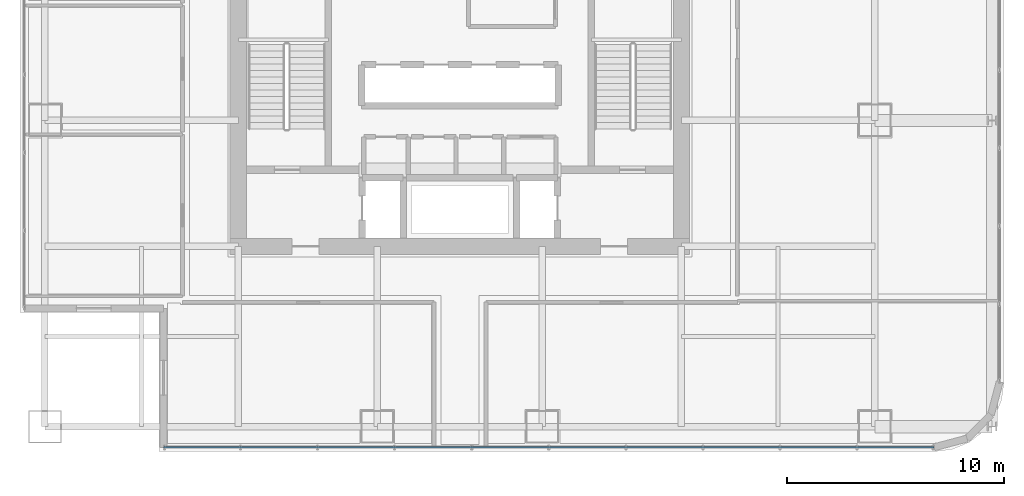
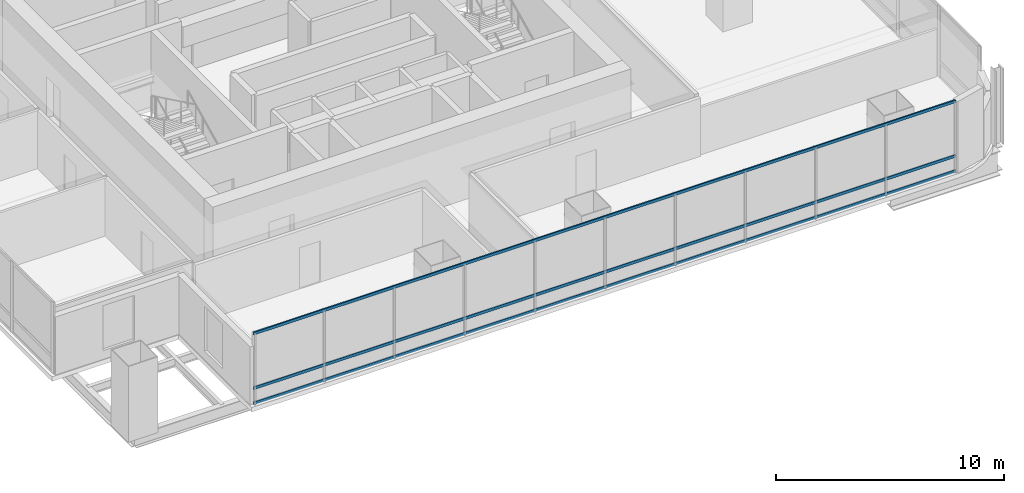
# One storey, part 6 of 34: 3 members, 1 element without a shape of its own.
"""IFC4 building model written with IfcOpenShell, lengths in metres."""

from ifc_helpers import new_model, si_unit, direction, frame, origin, origin_2d, place, context, subcontext, project, spatial, hollow_rectangle, extrude, material, material_profile, profile_set, type_object, element, aggregate, save


model = new_model("IFC4")

# Units and contexts
model_context = context("Model", 3, precision=1e-05, world=origin(), true_north=direction((0.0, 1.0)))
body_context = subcontext(model_context, "Body", "Model", "MODEL_VIEW")
ifc_project = project(units=[si_unit("LENGTHUNIT", "METRE"), si_unit("AREAUNIT", "SQUARE_METRE"), si_unit("VOLUMEUNIT", "CUBIC_METRE"), si_unit("PLANEANGLEUNIT", "RADIAN"), si_unit("MASSUNIT", "GRAM", prefix="KILO")], contexts=[model_context])

# Site, building, storey
site_placement = place(None, origin())
site = spatial("IfcSite", under=ifc_project, at=site_placement, CompositionType="ELEMENT")
building_placement = place(site_placement, origin())
building = spatial("IfcBuilding", under=site, at=building_placement, Name="Punatoya Terracotta Tower", CompositionType="ELEMENT")
storey_placement = place(building_placement, frame((0.0, 0.0, 117.300048828125)))
storey = spatial("IfcBuildingStorey", under=building, at=storey_placement, Name="L27", CompositionType="ELEMENT", Elevation=117.300048828125)

# Curtain wall, members
ifc_material_1 = material(Name="Aluminium 6063-T6 + Double Low-E Glass", Category="aluminium")
curtain_wall_type = type_object("IfcCurtainWallType", Name="CW-M1", PredefinedType="NOTDEFINED", material=ifc_material_1)
curtain_wall_placement = place(storey_placement, origin())
curtain_wall = element("IfcCurtainWall", 1, at=curtain_wall_placement, inside=storey, type_object=curtain_wall_type, Name="L27 Curtain Wall CW-L27-S01-1", PredefinedType="NOTDEFINED")
ifc_material_2 = material(Name="Aluminium 6063-T6", Category="aluminium")
ifc_material_profile = material_profile(ifc_material_2, hollow_rectangle(XDim=0.068115234375, YDim=0.14990234375, WallThickness=0.00390625, at=origin_2d()))
ifc_profile_set = profile_set([ifc_material_profile], Name="Aluminium 6063-T6")
member_type = type_object("IfcMemberType", Name="CW-TRN-TYP", PredefinedType="USERDEFINED", material=ifc_profile_set)
member_1_placement = place(storey_placement, frame((-13.64990234375, -18.449951171875, 0.0400390625), z_axis=(1.0, 0.0, 0.0), x_axis=(0.0, 1.0, 0.0)))
member_1 = element("IfcMember", 2, at=member_1_placement, type_object=member_type, Name="CW-L27-S01-1 Transom 1", ObjectType="TRANSOM", PredefinedType="USERDEFINED", context=body_context, shape_type="SweptSolid", body=[
    extrude(hollow_rectangle(XDim=0.068115234375, YDim=0.14990234375, WallThickness=0.00390625, at=origin_2d()), origin(), (0.0, 0.0, 1.0), 35.48681640625),
])
member_2_placement = place(storey_placement, frame((-13.64990234375, -18.449951171875, 0.849853515625), z_axis=(1.0, 0.0, 0.0), x_axis=(0.0, 1.0, 0.0)))
member_2 = element("IfcMember", 3, at=member_2_placement, type_object=member_type, Name="CW-L27-S01-1 Transom 2", ObjectType="TRANSOM", PredefinedType="USERDEFINED", context=body_context, shape_type="SweptSolid", body=[
    extrude(hollow_rectangle(XDim=0.068115234375, YDim=0.14990234375, WallThickness=0.00390625, at=origin_2d()), origin(), (0.0, 0.0, 1.0), 35.48681640625),
])
member_3_placement = place(storey_placement, frame((-13.64990234375, -18.449951171875, 3.77001953125), z_axis=(1.0, 0.0, 0.0), x_axis=(0.0, 1.0, 0.0)))
member_3 = element("IfcMember", 4, at=member_3_placement, type_object=member_type, Name="CW-L27-S01-1 Transom 3", ObjectType="TRANSOM", PredefinedType="USERDEFINED", context=body_context, shape_type="SweptSolid", body=[
    extrude(hollow_rectangle(XDim=0.068115234375, YDim=0.14990234375, WallThickness=0.00390625, at=origin_2d()), origin(), (0.0, 0.0, 1.0), 35.48681640625),
])
aggregate(curtain_wall, [member_1, member_2, member_3])

save(model, "model.ifc")
